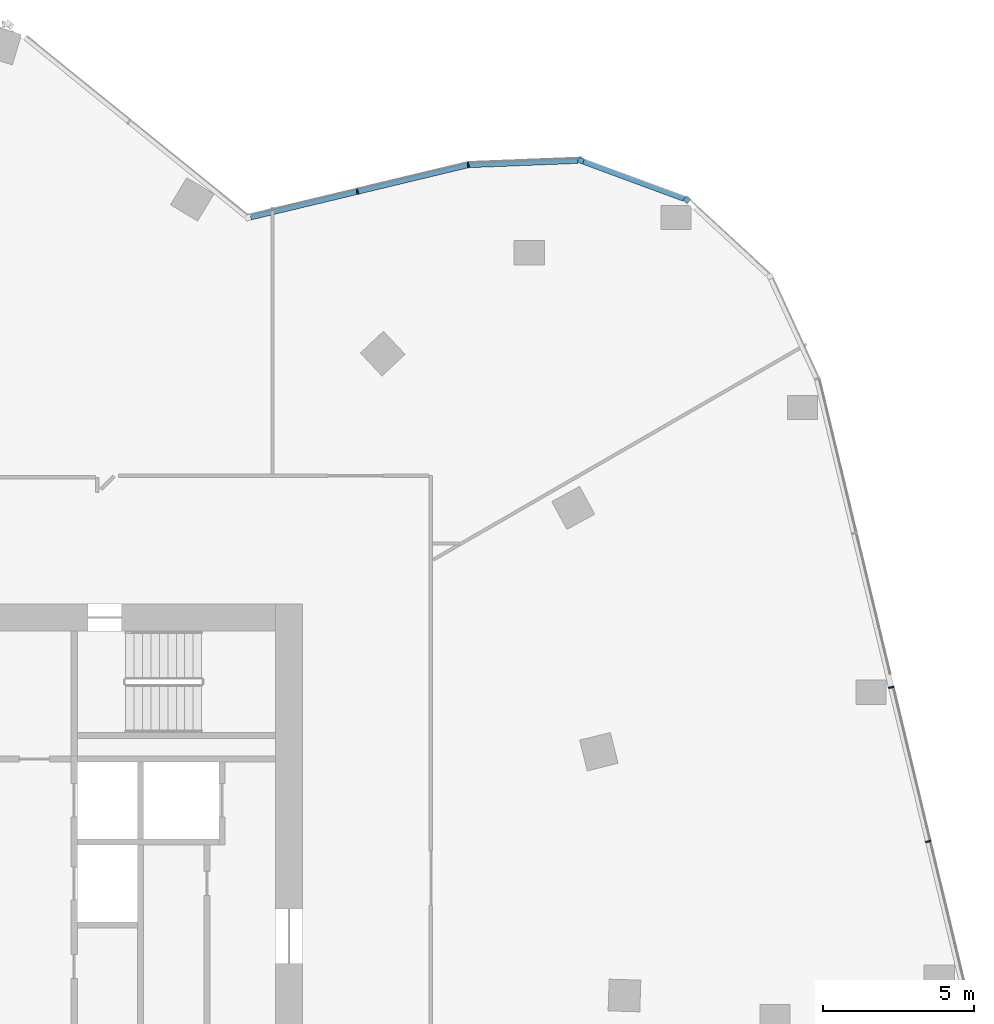
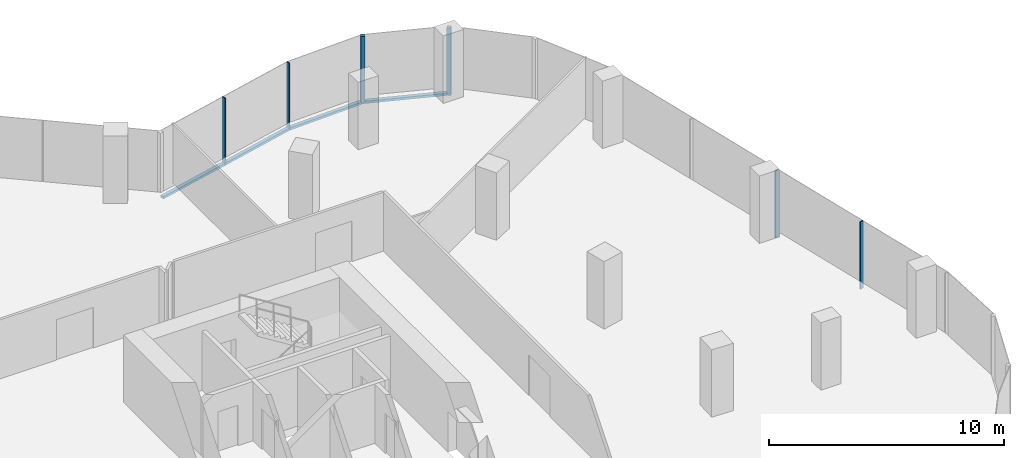
# One storey, part 10 of 25: 9 members, 5 elements without a shape of their own.
"""IFC4 building model written with IfcOpenShell, lengths in metres."""

from ifc_helpers import new_model, si_unit, direction, frame, origin, origin_2d, place, context, subcontext, project, spatial, rectangle, extrude, material, material_profile, profile_set, type_object, element, aggregate, save


model = new_model("IFC4")

# Units and contexts
model_context = context("Model", 3, precision=1e-05, world=origin(), true_north=direction((0.0, 1.0)))
body_context = subcontext(model_context, "Body", "Model", "MODEL_VIEW")
ifc_project = project(units=[si_unit("LENGTHUNIT", "METRE"), si_unit("AREAUNIT", "SQUARE_METRE"), si_unit("VOLUMEUNIT", "CUBIC_METRE"), si_unit("PLANEANGLEUNIT", "RADIAN"), si_unit("MASSUNIT", "GRAM", prefix="KILO")], contexts=[model_context])

# Site, building, storey
site_placement = place(None, origin())
site = spatial("IfcSite", under=ifc_project, at=site_placement, CompositionType="ELEMENT")
building_placement = place(site_placement, origin())
building = spatial("IfcBuilding", under=site, at=building_placement, Name="Orlundy Tower", CompositionType="ELEMENT")
storey_placement = place(building_placement, frame((0.0, 0.0, 217.5)))
storey = spatial("IfcBuildingStorey", under=building, at=storey_placement, Name="L57", CompositionType="ELEMENT", Elevation=217.5)

# Curtain wall, member
ifc_material_1 = material(Name="Aluminium bronze anodised", Category="aluminium")
curtain_wall_type = type_object("IfcCurtainWallType", Name="CW1 wall", PredefinedType="NOTDEFINED", material=ifc_material_1)
curtain_wall_1_placement = place(storey_placement, origin())
curtain_wall_1 = element("IfcCurtainWall", 1, at=curtain_wall_1_placement, inside=storey, type_object=curtain_wall_type, Name="CW1 run 08", PredefinedType="NOTDEFINED")
ifc_material_2 = material(Name="Aluminium bronze anodised", Category="aluminium")
ifc_material_profile_1 = material_profile(ifc_material_2, rectangle(XDim=0.179931640625, YDim=0.179931640625, at=origin_2d()), Name="CW1 corner post 180x180")
ifc_profile_set_1 = profile_set([ifc_material_profile_1], Name="Aluminium bronze anodised")
member_type_1 = type_object("IfcMemberType", Name="CW1 corner post 180x180", PredefinedType="MULLION", material=ifc_profile_set_1)
member_1_placement = place(storey_placement, frame((28.220458984375, 26.6865234375, -0.419921875), z_axis=(0.0, 0.0, 1.0), x_axis=(0.346092852283, 0.938200265188, 0.0)))
member_1 = element("IfcMember", 2, at=member_1_placement, type_object=member_type_1, Name="CW1 mullion 25", PredefinedType="MULLION", context=body_context, shape_type="SweptSolid", body=[
    extrude(rectangle(XDim=0.179931640625, YDim=0.179931640625, at=origin_2d()), origin(), (0.0, 0.0, 1.0), 3.5),
])

curtain_wall_2_placement = place(storey_placement, origin())
curtain_wall_2 = element("IfcCurtainWall", 3, at=curtain_wall_2_placement, inside=storey, type_object=curtain_wall_type, Name="CW1 run 09", PredefinedType="NOTDEFINED")
member_2_placement = place(storey_placement, frame((31.73193359375, 25.391357421875, -0.419921875), z_axis=(0.0, 0.0, 1.0), x_axis=(0.678772971258, 0.734348182738, 0.0)))
member_2 = element("IfcMember", 4, at=member_2_placement, type_object=member_type_1, Name="CW1 mullion 26", PredefinedType="MULLION", context=body_context, shape_type="SweptSolid", body=[
    extrude(rectangle(XDim=0.179931640625, YDim=0.179931640625, at=origin_2d()), origin(), (0.0, 0.0, 1.0), 3.5),
])
aggregate(curtain_wall_2, [member_2])

curtain_wall_3_placement = place(storey_placement, origin())
curtain_wall_3 = element("IfcCurtainWall", 5, at=curtain_wall_3_placement, inside=storey, type_object=curtain_wall_type, Name="CW1 run 06", PredefinedType="NOTDEFINED")
ifc_material_3 = material(Name="Aluminium bronze anodised", Category="aluminium")
ifc_material_profile_2 = material_profile(ifc_material_3, rectangle(XDim=0.179931640625, YDim=0.050048828125, at=origin_2d()), Name="CW1 mullion 50x180")
ifc_profile_set_2 = profile_set([ifc_material_profile_2], Name="Aluminium bronze anodised")
member_type_2 = type_object("IfcMemberType", Name="CW1 mullion 50x180", PredefinedType="MULLION", material=ifc_profile_set_2)
member_3_placement = place(storey_placement, frame((20.819091796875, 25.658935546875, -0.419921875), z_axis=(0.0, 0.0, 1.0), x_axis=(-0.233528608579, 0.972349931339, 0.0)))
member_3 = element("IfcMember", 6, at=member_3_placement, type_object=member_type_2, Name="CW1 mullion 23", PredefinedType="MULLION", context=body_context, shape_type="SweptSolid", body=[
    extrude(rectangle(XDim=0.179931640625, YDim=0.050048828125, at=origin_2d()), origin(), (0.0, 0.0, 1.0), 3.5),
])

curtain_wall_4_placement = place(storey_placement, origin())
curtain_wall_4 = element("IfcCurtainWall", 7, at=curtain_wall_4_placement, inside=storey, type_object=curtain_wall_type, Name="CW1 run 07", PredefinedType="NOTDEFINED")
member_4_placement = place(storey_placement, frame((24.489501953125, 26.54052734375, -0.419921875), z_axis=(0.0, 0.0, 1.0), x_axis=(-0.136983908445, 0.990573272821, 0.0)))
member_4 = element("IfcMember", 8, at=member_4_placement, type_object=member_type_2, Name="CW1 mullion 24", PredefinedType="MULLION", context=body_context, shape_type="SweptSolid", body=[
    extrude(rectangle(XDim=0.179931640625, YDim=0.050048828125, at=origin_2d()), origin(), (0.0, 0.0, 1.0), 3.5),
])

# Curtain wall, members
curtain_wall_5_placement = place(storey_placement, origin())
curtain_wall_5 = element("IfcCurtainWall", 9, at=curtain_wall_5_placement, inside=storey, type_object=curtain_wall_type, Name="CW1 run 011", PredefinedType="NOTDEFINED")
member_5_placement = place(storey_placement, frame((38.49609375, 9.241943359375, -0.419921875), z_axis=(0.0, 0.0, 1.0), x_axis=(0.972363523859, 0.233472005748, 0.0)))
member_5 = element("IfcMember", 10, at=member_5_placement, type_object=member_type_2, Name="CW1 mullion 30", PredefinedType="MULLION", context=body_context, shape_type="SweptSolid", body=[
    extrude(rectangle(XDim=0.179931640625, YDim=0.050048828125, at=origin_2d()), origin(), (0.0, 0.0, 1.0), 3.5),
])
member_6_placement = place(storey_placement, frame((39.7216796875, 4.136962890625, -0.419921875), z_axis=(0.0, 0.0, 1.0), x_axis=(0.972363523859, 0.233472005748, 0.0)))
member_6 = element("IfcMember", 11, at=member_6_placement, type_object=member_type_2, Name="CW1 mullion 31", PredefinedType="MULLION", context=body_context, shape_type="SweptSolid", body=[
    extrude(rectangle(XDim=0.179931640625, YDim=0.050048828125, at=origin_2d()), origin(), (0.0, 0.0, 1.0), 3.5),
])
aggregate(curtain_wall_5, [member_5, member_6])

# Member
ifc_material_4 = material(Name="Aluminium bronze anodised", Category="aluminium")
ifc_material_profile_3 = material_profile(ifc_material_4, rectangle(XDim=0.179931640625, YDim=0.1201171875, at=origin_2d()), Name="CW1 transom 180x120")
ifc_profile_set_3 = profile_set([ifc_material_profile_3], Name="Aluminium bronze anodised")
member_type_3 = type_object("IfcMemberType", Name="CW1 transom 180x120", PredefinedType="USERDEFINED", material=ifc_profile_set_3)
member_7_placement = place(storey_placement, frame((17.28759765625, 24.810791015625, -0.360107421875), z_axis=(0.972347959414, 0.233536818988, 0.0), x_axis=(-0.233536818988, 0.972347959414, 0.0)))
member_7 = element("IfcMember", 12, at=member_7_placement, type_object=member_type_3, Name="CW1 transom", ObjectType="TRANSOM", PredefinedType="USERDEFINED", context=body_context, shape_type="SweptSolid", body=[
    extrude(rectangle(XDim=0.179931640625, YDim=0.1201171875, at=origin_2d()), origin(), (0.0, 0.0, 1.0), 7.381591796875),
])

aggregate(curtain_wall_3, [member_3, member_7])

member_8_placement = place(storey_placement, frame((24.5146484375, 26.54150390625, -0.360107421875), z_axis=(0.999233558965, 0.039144535226, 0.0), x_axis=(-0.039144535226, 0.999233558965, 0.0)))
member_8 = element("IfcMember", 13, at=member_8_placement, type_object=member_type_3, Name="CW1 transom", ObjectType="TRANSOM", PredefinedType="USERDEFINED", context=body_context, shape_type="SweptSolid", body=[
    extrude(rectangle(XDim=0.179931640625, YDim=0.1201171875, at=origin_2d()), origin(), (0.0, 0.0, 1.0), 3.611083984375),
])

aggregate(curtain_wall_4, [member_4, member_8])

member_9_placement = place(storey_placement, frame((28.3046875, 26.655517578125, -0.360107421875), z_axis=(0.938211752015, -0.346061711809, 0.0), x_axis=(0.346061711809, 0.938211752015, 0.0)))
member_9 = element("IfcMember", 14, at=member_9_placement, type_object=member_type_3, Name="CW1 transom", ObjectType="TRANSOM", PredefinedType="USERDEFINED", context=body_context, shape_type="SweptSolid", body=[
    extrude(rectangle(XDim=0.179931640625, YDim=0.1201171875, at=origin_2d()), origin(), (0.0, 0.0, 1.0), 3.5556640625),
])

aggregate(curtain_wall_1, [member_1, member_9])

save(model, "model.ifc")
